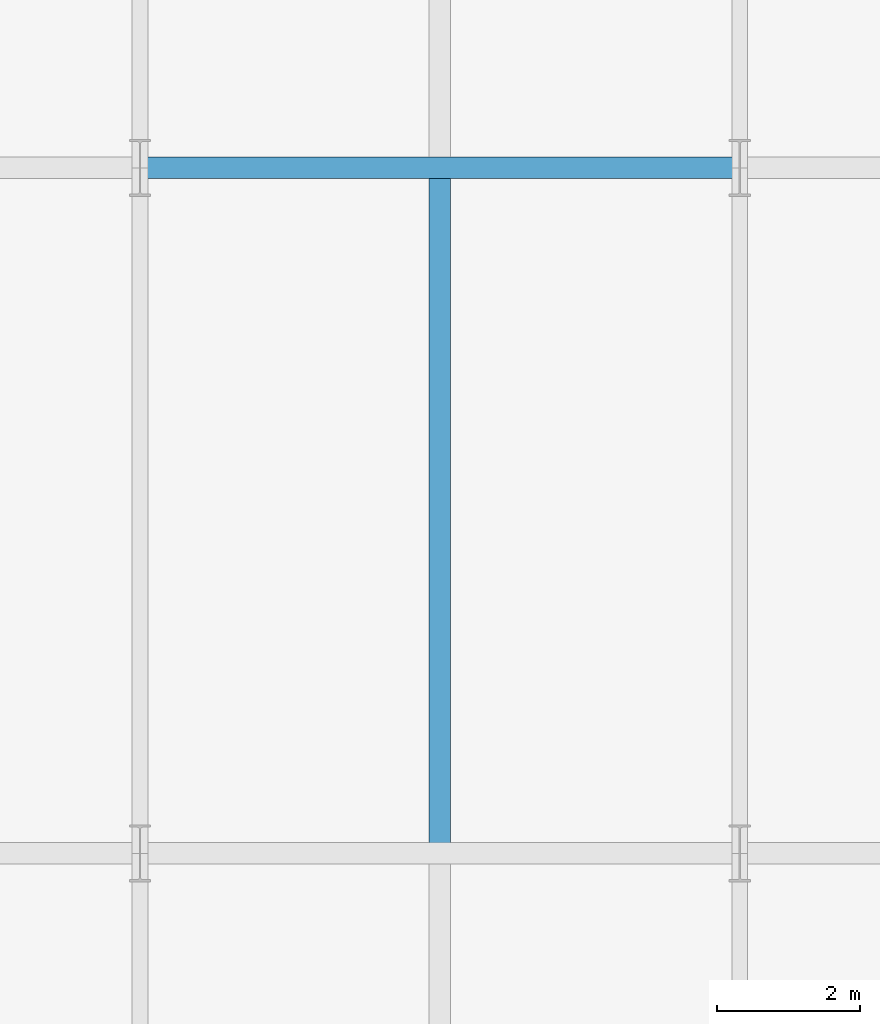
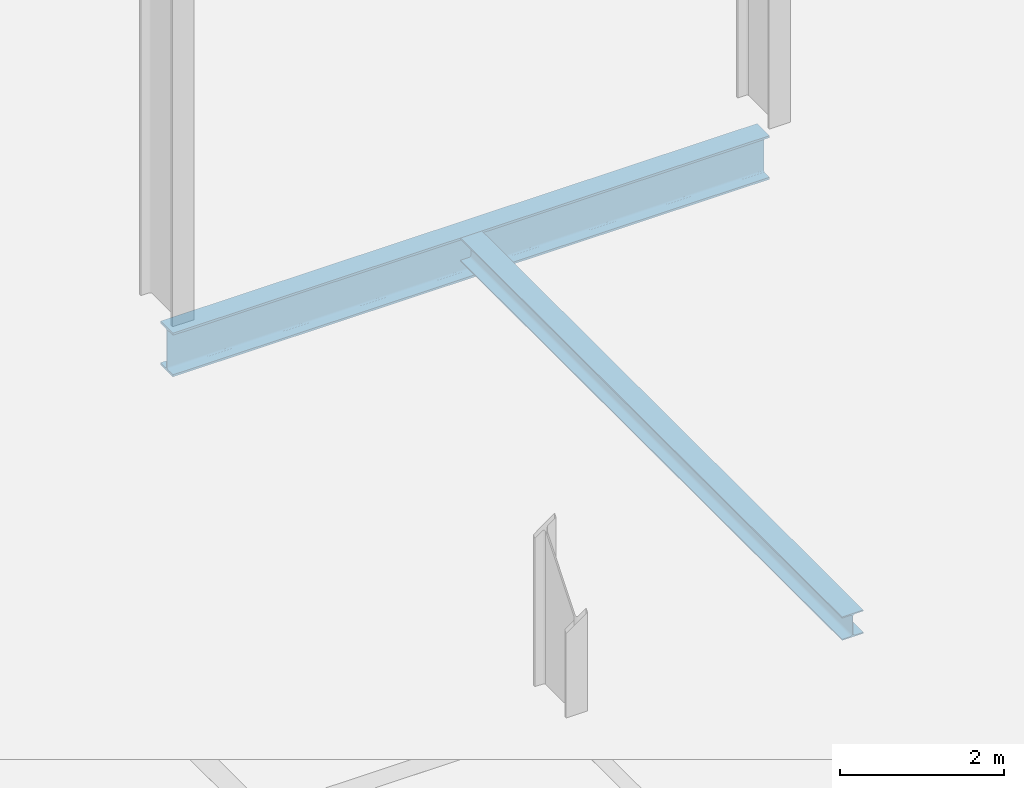
# One storey, part 61 of 131: 2 beams.
"""IFC4 building model written with IfcOpenShell, lengths in metres."""

from ifc_helpers import new_model, si_unit, direction, frame, origin, origin_2d, place, context, subcontext, project, spatial, i_section, extrude, material, material_profile, profile_set, type_object, element, save


model = new_model("IFC4")

# Units and contexts
model_context = context("Model", 3, precision=1e-05, world=origin(), true_north=direction((0.0, 1.0)))
body_context = subcontext(model_context, "Body", "Model", "MODEL_VIEW")
ifc_project = project(units=[si_unit("LENGTHUNIT", "METRE"), si_unit("AREAUNIT", "SQUARE_METRE"), si_unit("VOLUMEUNIT", "CUBIC_METRE"), si_unit("PLANEANGLEUNIT", "RADIAN"), si_unit("MASSUNIT", "GRAM", prefix="KILO")], contexts=[model_context])

# Site, building, storey
site_placement = place(None, origin())
site = spatial("IfcSite", under=ifc_project, at=site_placement, CompositionType="ELEMENT")
building_placement = place(site_placement, origin())
building = spatial("IfcBuilding", under=site, at=building_placement, Name="Veltarok Museum of Natural Sciences", CompositionType="ELEMENT")
storey_placement = place(building_placement, origin())
storey = spatial("IfcBuildingStorey", under=building, at=storey_placement, Name="L00", CompositionType="ELEMENT", Elevation=0.0)

# Beams
ifc_material = material(Name="Steel S355J2", Category="steel")
ifc_material_profile_1 = material_profile(ifc_material, i_section(OverallWidth=0.300048828125, OverallDepth=0.64990234375, WebThickness=0.01611328125, FlangeThickness=0.031005859375, FilletRadius=0.027099609375, at=origin_2d()), Name="HEB 650")
ifc_profile_set_1 = profile_set([ifc_material_profile_1], Name="Steel S355J2")
beam_type_1 = type_object("IfcBeamType", Name="Heavy Spine Girder HEB 650", PredefinedType="BEAM", material=ifc_profile_set_1)
beam_1_placement = place(storey_placement, frame((65.199951171875, 91.199951171875, -0.625), z_axis=(1.0, 0.0, 0.0), x_axis=(0.0, 1.0, 0.0)))
element("IfcBeam", 1, at=beam_1_placement, inside=storey, type_object=beam_type_1, Name="Beam BM-G11 L00 8-9/K", PredefinedType="BEAM", context=body_context, shape_type="SweptSolid", body=[
    extrude(i_section(OverallWidth=0.300048828125, OverallDepth=0.64990234375, WebThickness=0.01611328125, FlangeThickness=0.031005859375, FilletRadius=0.027099609375, at=origin_2d()), origin(), (0.0, 0.0, 1.0), 8.400146484375),
])
ifc_material_profile_2 = material_profile(ifc_material, i_section(OverallWidth=0.300048828125, OverallDepth=0.35009765625, WebThickness=0.010009765625, FlangeThickness=0.017578125, FilletRadius=0.027099609375, at=origin_2d()), Name="HEA 360")
ifc_profile_set_2 = profile_set([ifc_material_profile_2], Name="Steel S355J2")
beam_type_2 = type_object("IfcBeamType", Name="Long-Span Gallery Joist HEA 360", PredefinedType="JOIST", material=ifc_profile_set_2)
beam_2_placement = place(storey_placement, frame((69.39990234375, 81.748046875, -0.47509765625), z_axis=(0.0, 1.0, 0.0), x_axis=(-1.0, 0.0, 0.0)))
element("IfcBeam", 2, at=beam_2_placement, inside=storey, type_object=beam_type_2, Name="Secondary Joist BM-J07 L00 8-9/J-K.1", PredefinedType="JOIST", context=body_context, shape_type="SweptSolid", body=[
    extrude(i_section(OverallWidth=0.300048828125, OverallDepth=0.35009765625, WebThickness=0.010009765625, FlangeThickness=0.017578125, FilletRadius=0.027099609375, at=origin_2d()), origin(), (0.0, 0.0, 1.0), 9.303955078125),
])

save(model, "model.ifc")
